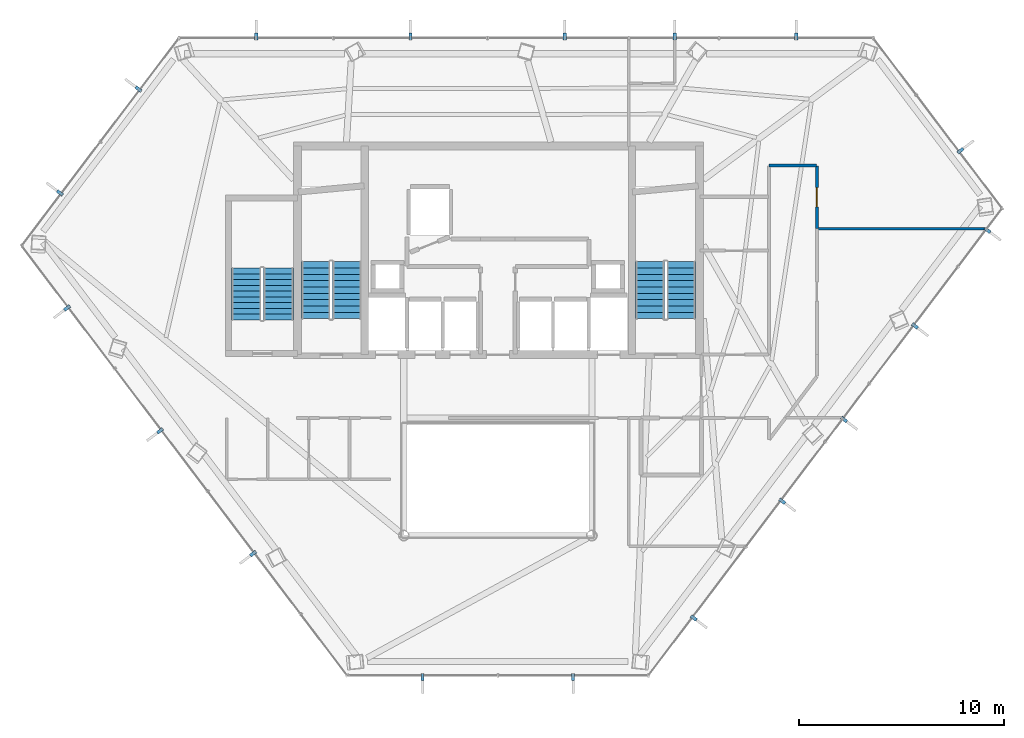
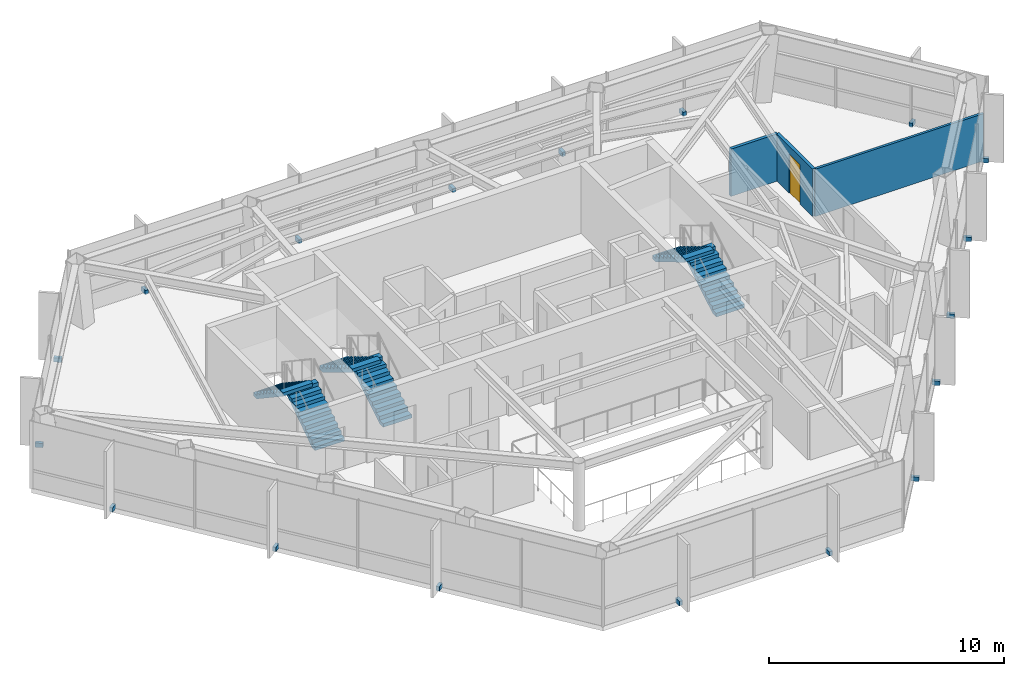
# One storey, part 26 of 27: 18 discrete accessories, 6 stair flights, 3 walls, 1 door, 1 opening, 3 elements without a shape of their own.
"""IFC4 building model written with IfcOpenShell, lengths in metres."""

from ifc_helpers import new_model, si_unit, direction, frame, frame_2d, origin, origin_2d, place, context, subcontext, project, spatial, polyline, rectangle, outline, extrude, material, layer, layer_set, type_object, element, fill, aggregate, save


model = new_model("IFC4")

# Units and contexts
model_context = context("Model", 3, precision=1e-05, world=origin(), true_north=direction((0.0, 1.0)))
body_context = subcontext(model_context, "Body", "Model", "MODEL_VIEW")
ifc_project = project(units=[si_unit("LENGTHUNIT", "METRE"), si_unit("AREAUNIT", "SQUARE_METRE"), si_unit("VOLUMEUNIT", "CUBIC_METRE"), si_unit("PLANEANGLEUNIT", "RADIAN"), si_unit("MASSUNIT", "GRAM", prefix="KILO")], contexts=[model_context])

# Site, building, storey
site_placement = place(None, origin())
site = spatial("IfcSite", under=ifc_project, at=site_placement, CompositionType="ELEMENT")
building_placement = place(site_placement, origin())
building = spatial("IfcBuilding", under=site, at=building_placement, Name="Zarrinselat Tower", CompositionType="ELEMENT")
storey_placement = place(building_placement, frame((0.0, 0.0, 183.260009765625)))
storey = spatial("IfcBuildingStorey", under=building, at=storey_placement, Name="L45", CompositionType="ELEMENT", Elevation=183.260009765625)

# Wall
ifc_material_1 = material(Name="Fire-Rated Gypsum Board Partition", Category="gypsum")
ifc_layer_1 = layer(ifc_material_1, 0.14990234375)
ifc_layer_set_1 = layer_set([ifc_layer_1], Name="Fire-Rated Gypsum Board Partition")
wall_type_1 = type_object("IfcWallType", Name="WAL-PART-EI60", PredefinedType="PARTITIONING", material=ifc_layer_set_1)
wall_1_placement = place(storey_placement, frame((51.669921875, 42.5, 0.0), z_axis=(0.0, 0.0, 1.0), x_axis=(1.0, 0.0, 0.0)))
element("IfcWall", 1, at=wall_1_placement, inside=storey, type_object=wall_type_1, Name="L45 Partition Wall 27", PredefinedType="PARTITIONING", context=body_context, shape_type="SweptSolid", body=[
    extrude(rectangle(XDim=2.31005859375, YDim=0.14990234375, at=frame_2d((1.155029296875, 0.0))), origin(), (0.0, 0.0, 1.0), 2.45703125),
])

# Wall, opening, door
wall_2_placement = place(storey_placement, frame((54.0, 39.4111328125, 0.0), z_axis=(0.0, 0.0, 1.0), x_axis=(0.0, 1.0, 0.0)))
wall_2 = element("IfcWall", 2, at=wall_2_placement, inside=storey, type_object=wall_type_1, Name="L45 Partition Wall 28", PredefinedType="PARTITIONING", context=body_context, shape_type="SweptSolid", body=[
    extrude(rectangle(XDim=3.06884765625, YDim=0.14990234375, at=frame_2d((1.534423828125, 0.0))), origin(), (0.0, 0.0, 1.0), 2.45703125),
])
opening_placement = place(wall_2_placement, frame((1.064453125, 0.0, 0.0)))
opening = element("IfcOpeningElement", 3, at=opening_placement, cuts=wall_2, Name="Opening ID-04", PredefinedType="OPENING", context=body_context, shape_type="SweptSolid", body=[
    extrude(rectangle(XDim=0.93994140625, YDim=2.050048828125, at=frame_2d((0.469970703125, 1.02490234375))), frame((0.0, 0.0849609375, 0.0), z_axis=(0.0, -1.0, 0.0), x_axis=(1.0, 0.0, 0.0)), (0.0, 0.0, 1.0), 0.169921875),
])
ifc_material_2 = material(Name="Fire-Rated Gypsum Board Partition")
door_type = type_object("IfcDoorType", Name="DR-INT-FD30-ENT", OperationType="NOTDEFINED", PredefinedType="DOOR", material=ifc_material_2)
door_placement = place(opening_placement, origin())
door = element("IfcDoor", 4, at=door_placement, inside=storey, type_object=door_type, Name="L45 Interior Door P28", OperationType="SINGLE_SWING_RIGHT", OverallHeight=2.050048828125, OverallWidth=0.93994140625, PredefinedType="DOOR", context=body_context, shape_type="SweptSolid", body=[
    extrude(rectangle(XDim=0.93994140625, YDim=2.050048828125, at=frame_2d((0.469970703125, 1.02490234375))), frame((0.0, 0.02490234375, 0.0), z_axis=(0.0, -1.0, 0.0), x_axis=(1.0, 0.0, 0.0)), (0.0, 0.0, 1.0), 0.050048828125),
])
fill(opening, door)

# Wall
ifc_material_3 = material(Name="Fire-Rated Gypsum Board Partition", Category="gypsum")
ifc_layer_2 = layer(ifc_material_3, 0.1201171875)
ifc_layer_set_2 = layer_set([ifc_layer_2], Name="Fire-Rated Gypsum Board Partition")
wall_type_2 = type_object("IfcWallType", Name="WAL-PART-STD", PredefinedType="PARTITIONING", material=ifc_layer_set_2)
wall_3_placement = place(storey_placement, frame((54.02001953125, 39.406005859375, 0.0), z_axis=(0.0, 0.0, 1.0), x_axis=(1.0, 0.0, 0.0)))
element("IfcWall", 5, at=wall_3_placement, inside=storey, type_object=wall_type_2, Name="L45 Partition Wall 43", PredefinedType="PARTITIONING", context=body_context, shape_type="SweptSolid", body=[
    extrude(rectangle(XDim=8.277099609375, YDim=0.1201171875, at=frame_2d((4.138671875, 0.0))), origin(), (0.0, 0.0, 1.0), 2.45703125),
])

# Stair, stair flights
ifc_material_4 = material(Name="Concrete C40/50", Category="concrete")
stair_type_1 = type_object("IfcStairType", Name="STR-CORE-145", PredefinedType="HALF_TURN_STAIR", material=ifc_material_4)
stair_1_placement = place(storey_placement, origin())
stair_1 = element("IfcStair", 6, at=stair_1_placement, inside=storey, type_object=stair_type_1, Name="L45 Podium & Mid-Tower Exit Stair 3", PredefinedType="HALF_TURN_STAIR")
ifc_material_5 = material(Name="Concrete C40/50", Category="concrete")
stair_flight_type_1 = type_object("IfcStairFlightType", Name="STR-FLT-145", PredefinedType="STRAIGHT", material=ifc_material_5)
stair_flight_1_placement = place(storey_placement, frame((27.675048828125, 34.949951171875, 0.0), z_axis=(0.0, 0.0, 1.0), x_axis=(0.0, 1.0, 0.0)))
stair_flight_1 = element("IfcStairFlight", 7, at=stair_flight_1_placement, type_object=stair_flight_type_1, Name="ST-3 flight 1", NumberOfRisers=10, NumberOfTreads=9, PredefinedType="STRAIGHT", RiserHeight=0.187, TreadLength=0.28, context=body_context, shape_type="SweptSolid", body=[
    extrude(outline(polyline([(0.0, 0.0), (0.0, 0.18701171875), (0.280029296875, 0.18701171875), (0.280029296875, 0.3740234375), (0.56005859375, 0.3740234375), (0.56005859375, 0.56103515625), (0.840087890625, 0.56103515625), (0.840087890625, 0.748046875), (1.1201171875, 0.748046875), (1.1201171875, 0.93505859375), (1.39990234375, 0.93505859375), (1.39990234375, 1.1220703125), (1.679931640625, 1.1220703125), (1.679931640625, 1.30908203125), (1.9599609375, 1.30908203125), (1.9599609375, 1.49609375), (2.239990234375, 1.49609375), (2.239990234375, 1.68310546875), (2.52001953125, 1.68310546875), (2.52001953125, 1.8701171875), (2.52001953125, 1.502685546875), (0.27001953125, 0.0), (0.0, 0.0)])), frame((0.0, 0.72509765625, 0.0), z_axis=(0.0, -1.0, 0.0), x_axis=(1.0, 0.0, 0.0)), (0.0, 0.0, 1.0), 1.449951171875),
])
stair_flight_2_placement = place(storey_placement, frame((26.10498046875, 37.469970703125, 1.869873046875), z_axis=(0.0, 0.0, 1.0), x_axis=(0.0, -1.0, 0.0)))
stair_flight_2 = element("IfcStairFlight", 8, at=stair_flight_2_placement, type_object=stair_flight_type_1, Name="ST-3 flight 2", NumberOfRisers=10, NumberOfTreads=9, PredefinedType="STRAIGHT", RiserHeight=0.187, TreadLength=0.28, context=body_context, shape_type="SweptSolid", body=[
    extrude(outline(polyline([(0.0, 0.0), (0.0, 0.18701171875), (0.280029296875, 0.18701171875), (0.280029296875, 0.3740234375), (0.56005859375, 0.3740234375), (0.56005859375, 0.56103515625), (0.840087890625, 0.56103515625), (0.840087890625, 0.748046875), (1.1201171875, 0.748046875), (1.1201171875, 0.93505859375), (1.39990234375, 0.93505859375), (1.39990234375, 1.1220703125), (1.679931640625, 1.1220703125), (1.679931640625, 1.30908203125), (1.9599609375, 1.30908203125), (1.9599609375, 1.49609375), (2.239990234375, 1.49609375), (2.239990234375, 1.68310546875), (2.52001953125, 1.68310546875), (2.52001953125, 1.8701171875), (2.52001953125, 1.502685546875), (0.27001953125, 0.0), (0.0, 0.0)])), frame((0.0, 0.72509765625, 0.0), z_axis=(0.0, -1.0, 0.0), x_axis=(1.0, 0.0, 0.0)), (0.0, 0.0, 1.0), 1.449951171875),
])
aggregate(stair_1, [stair_flight_1, stair_flight_2])

ifc_material_6 = material(Name="Concrete C40/50", Category="concrete")
stair_type_2 = type_object("IfcStairType", Name="STR-CORE-155", PredefinedType="HALF_TURN_STAIR", material=ifc_material_6)
stair_2_placement = place(storey_placement, origin())
stair_2 = element("IfcStair", 9, at=stair_2_placement, inside=storey, type_object=stair_type_2, Name="L45 Core Exit Stair 1", PredefinedType="HALF_TURN_STAIR")
ifc_material_7 = material(Name="Concrete C40/50", Category="concrete")
stair_flight_type_2 = type_object("IfcStairFlightType", Name="STR-FLT-155", PredefinedType="STRAIGHT", material=ifc_material_7)
stair_flight_3_placement = place(storey_placement, frame((31.02001953125, 35.0, 0.0), z_axis=(0.0, 0.0, 1.0), x_axis=(0.0, 1.0, 0.0)))
stair_flight_3 = element("IfcStairFlight", 10, at=stair_flight_3_placement, type_object=stair_flight_type_2, Name="ST-1 flight 1", NumberOfRisers=10, NumberOfTreads=9, PredefinedType="STRAIGHT", RiserHeight=0.187, TreadLength=0.31, context=body_context, shape_type="SweptSolid", body=[
    extrude(outline(polyline([(0.0, 0.0), (0.0, 0.18701171875), (0.31005859375, 0.18701171875), (0.31005859375, 0.3740234375), (0.6201171875, 0.3740234375), (0.6201171875, 0.56103515625), (0.929931640625, 0.56103515625), (0.929931640625, 0.748046875), (1.239990234375, 0.748046875), (1.239990234375, 0.93505859375), (1.550048828125, 0.93505859375), (1.550048828125, 1.1220703125), (1.860107421875, 1.1220703125), (1.860107421875, 1.30908203125), (2.169921875, 1.30908203125), (2.169921875, 1.49609375), (2.47998046875, 1.49609375), (2.47998046875, 1.68310546875), (2.7900390625, 1.68310546875), (2.7900390625, 1.8701171875), (2.7900390625, 1.508056640625), (0.290283203125, 0.0), (0.0, 0.0)])), frame((0.0, 0.699951171875, 0.0), z_axis=(0.0, -1.0, 0.0), x_axis=(1.0, 0.0, 0.0)), (0.0, 0.0, 1.0), 1.39990234375),
])
stair_flight_4_placement = place(storey_placement, frame((29.5, 37.7900390625, 1.869873046875), z_axis=(0.0, 0.0, 1.0), x_axis=(0.0, -1.0, 0.0)))
stair_flight_4 = element("IfcStairFlight", 11, at=stair_flight_4_placement, type_object=stair_flight_type_2, Name="ST-1 flight 2", NumberOfRisers=10, NumberOfTreads=9, PredefinedType="STRAIGHT", RiserHeight=0.187, TreadLength=0.31, context=body_context, shape_type="SweptSolid", body=[
    extrude(outline(polyline([(0.0, 0.0), (0.0, 0.18701171875), (0.31005859375, 0.18701171875), (0.31005859375, 0.3740234375), (0.6201171875, 0.3740234375), (0.6201171875, 0.56103515625), (0.929931640625, 0.56103515625), (0.929931640625, 0.748046875), (1.239990234375, 0.748046875), (1.239990234375, 0.93505859375), (1.550048828125, 0.93505859375), (1.550048828125, 1.1220703125), (1.860107421875, 1.1220703125), (1.860107421875, 1.30908203125), (2.169921875, 1.30908203125), (2.169921875, 1.49609375), (2.47998046875, 1.49609375), (2.47998046875, 1.68310546875), (2.7900390625, 1.68310546875), (2.7900390625, 1.8701171875), (2.7900390625, 1.508056640625), (0.290283203125, 0.0), (0.0, 0.0)])), frame((0.0, 0.699951171875, 0.0), z_axis=(0.0, -1.0, 0.0), x_axis=(1.0, 0.0, 0.0)), (0.0, 0.0, 1.0), 1.39990234375),
])
aggregate(stair_2, [stair_flight_3, stair_flight_4])

stair_3_placement = place(storey_placement, origin())
stair_3 = element("IfcStair", 12, at=stair_3_placement, inside=storey, type_object=stair_type_2, Name="L45 Core Exit Stair 2", PredefinedType="HALF_TURN_STAIR")
stair_flight_5_placement = place(storey_placement, frame((47.360107421875, 35.0, 0.0), z_axis=(0.0, 0.0, 1.0), x_axis=(0.0, 1.0, 0.0)))
stair_flight_5 = element("IfcStairFlight", 13, at=stair_flight_5_placement, type_object=stair_flight_type_2, Name="ST-2 flight 1", NumberOfRisers=10, NumberOfTreads=9, PredefinedType="STRAIGHT", RiserHeight=0.187, TreadLength=0.31, context=body_context, shape_type="SweptSolid", body=[
    extrude(outline(polyline([(0.0, 0.0), (0.0, 0.18701171875), (0.31005859375, 0.18701171875), (0.31005859375, 0.3740234375), (0.6201171875, 0.3740234375), (0.6201171875, 0.56103515625), (0.929931640625, 0.56103515625), (0.929931640625, 0.748046875), (1.239990234375, 0.748046875), (1.239990234375, 0.93505859375), (1.550048828125, 0.93505859375), (1.550048828125, 1.1220703125), (1.860107421875, 1.1220703125), (1.860107421875, 1.30908203125), (2.169921875, 1.30908203125), (2.169921875, 1.49609375), (2.47998046875, 1.49609375), (2.47998046875, 1.68310546875), (2.7900390625, 1.68310546875), (2.7900390625, 1.8701171875), (2.7900390625, 1.508056640625), (0.290283203125, 0.0), (0.0, 0.0)])), frame((0.0, 0.699951171875, 0.0), z_axis=(0.0, -1.0, 0.0), x_axis=(1.0, 0.0, 0.0)), (0.0, 0.0, 1.0), 1.39990234375),
])
stair_flight_6_placement = place(storey_placement, frame((45.840087890625, 37.7900390625, 1.869873046875), z_axis=(0.0, 0.0, 1.0), x_axis=(0.0, -1.0, 0.0)))
stair_flight_6 = element("IfcStairFlight", 14, at=stair_flight_6_placement, type_object=stair_flight_type_2, Name="ST-2 flight 2", NumberOfRisers=10, NumberOfTreads=9, PredefinedType="STRAIGHT", RiserHeight=0.187, TreadLength=0.31, context=body_context, shape_type="SweptSolid", body=[
    extrude(outline(polyline([(0.0, 0.0), (0.0, 0.18701171875), (0.31005859375, 0.18701171875), (0.31005859375, 0.3740234375), (0.6201171875, 0.3740234375), (0.6201171875, 0.56103515625), (0.929931640625, 0.56103515625), (0.929931640625, 0.748046875), (1.239990234375, 0.748046875), (1.239990234375, 0.93505859375), (1.550048828125, 0.93505859375), (1.550048828125, 1.1220703125), (1.860107421875, 1.1220703125), (1.860107421875, 1.30908203125), (2.169921875, 1.30908203125), (2.169921875, 1.49609375), (2.47998046875, 1.49609375), (2.47998046875, 1.68310546875), (2.7900390625, 1.68310546875), (2.7900390625, 1.8701171875), (2.7900390625, 1.508056640625), (0.290283203125, 0.0), (0.0, 0.0)])), frame((0.0, 0.699951171875, 0.0), z_axis=(0.0, -1.0, 0.0), x_axis=(1.0, 0.0, 0.0)), (0.0, 0.0, 1.0), 1.39990234375),
])
aggregate(stair_3, [stair_flight_5, stair_flight_6])

# Discrete accessories
ifc_material_8 = material(Name="Steel S355J2", Category="steel")
discrete_accessory_type = type_object("IfcDiscreteAccessoryType", Name="ACC-FIN-BRACKET", PredefinedType="BRACKET", material=ifc_material_8)
for number, where, z_axis, x_axis, name in (
    (15, (52.98681640625, 48.792236328125, -0.0498046875), (0.0, 0.0, 1.0), (0.0, 1.0, 0.0), "L45 Fin Fixing Bracket CW-L45-E01-01"),
    (16, (47.050048828125, 48.792236328125, -0.0498046875), (0.0, 0.0, 1.0), (0.0, 1.0, 0.0), "L45 Fin Fixing Bracket CW-L45-E01-03"),
    (17, (41.67041015625, 48.792236328125, -0.0498046875), (0.0, 0.0, 1.0), (0.0, 1.0, 0.0), "L45 Fin Fixing Bracket CW-L45-E01-05"),
    (18, (34.126220703125, 48.792236328125, -0.0498046875), (0.0, 0.0, 1.0), (0.0, 1.0, 0.0), "L45 Fin Fixing Bracket CW-L45-E01-07"),
    (19, (26.58203125, 48.792236328125, -0.0498046875), (0.0, 0.0, 1.0), (0.0, 1.0, 0.0), "L45 Fin Fixing Bracket CW-L45-E01-09"),
    (20, (20.831787109375, 46.226806640625, -0.0498046875), (0.0, 0.0, 1.0), (-0.797091117314, 0.603859048702, 0.0), "L45 Fin Fixing Bracket CW-L45-E02-01"),
    (21, (16.98681640625, 41.151611328125, -0.0498046875), (0.0, 0.0, 1.0), (-0.797091117314, 0.603859048702, 0.0), "L45 Fin Fixing Bracket CW-L45-E02-03"),
    (22, (17.3388671875, 35.527099609375, -0.0498046875), (0.0, 0.0, 1.0), (-0.797092424748, -0.603857322892, 0.0), "L45 Fin Fixing Bracket CW-L45-E03-01"),
    (23, (21.8876953125, 29.5224609375, -0.0498046875), (0.0, 0.0, 1.0), (-0.797092424748, -0.603857322892, 0.0), "L45 Fin Fixing Bracket CW-L45-E03-03"),
    (24, (26.436767578125, 23.517578125, -0.0498046875), (0.0, 0.0, 1.0), (-0.797092424748, -0.603857322892, 0.0), "L45 Fin Fixing Bracket CW-L45-E03-05"),
    (25, (34.720703125, 17.4853515625, -0.0498046875), (0.0, 0.0, 1.0), (0.0, -1.0, 0.0), "L45 Fin Fixing Bracket CW-L45-E04-01"),
    (26, (42.0791015625, 17.4853515625, -0.0498046875), (0.0, 0.0, 1.0), (0.0, -1.0, 0.0), "L45 Fin Fixing Bracket CW-L45-E04-03"),
    (27, (47.977294921875, 20.368408203125, -0.0498046875), (0.0, 0.0, 1.0), (0.797091028478, -0.603859165965, 0.0), "L45 Fin Fixing Bracket CW-L45-E05-01"),
    (28, (52.303955078125, 26.079345703125, -0.0498046875), (0.0, 0.0, 1.0), (0.797091028478, -0.603859165965, 0.0), "L45 Fin Fixing Bracket CW-L45-E05-03"),
    (29, (55.328125, 30.071533203125, -0.0498046875), (0.0, 0.0, 1.0), (0.797091028478, -0.603859165965, 0.0), "L45 Fin Fixing Bracket CW-L45-E05-05"),
    (30, (58.793701171875, 34.645751953125, -0.0498046875), (0.0, 0.0, 1.0), (0.797091028478, -0.603859165965, 0.0), "L45 Fin Fixing Bracket CW-L45-E05-07"),
    (31, (62.34033203125, 39.32763671875, -0.0498046875), (0.0, 0.0, 1.0), (0.797091028478, -0.603859165965, 0.0), "L45 Fin Fixing Bracket CW-L45-E05-09"),
    (32, (61.018310546875, 43.2158203125, -0.0498046875), (0.0, 0.0, 1.0), (0.797090052893, 0.603860453729, 0.0), "L45 Fin Fixing Bracket CW-L45-E06-01"),
):
    element("IfcDiscreteAccessory", number, at=place(storey_placement, frame(where, z_axis=z_axis, x_axis=x_axis)), inside=storey, type_object=discrete_accessory_type, Name=name, PredefinedType="BRACKET", context=body_context, shape_type="SweptSolid", body=[
        extrude(rectangle(XDim=0.340087890625, YDim=0.159912109375, at=origin_2d()), origin(), (0.0, 0.0, 1.0), 0.219970703125),
    ])

save(model, "model.ifc")
